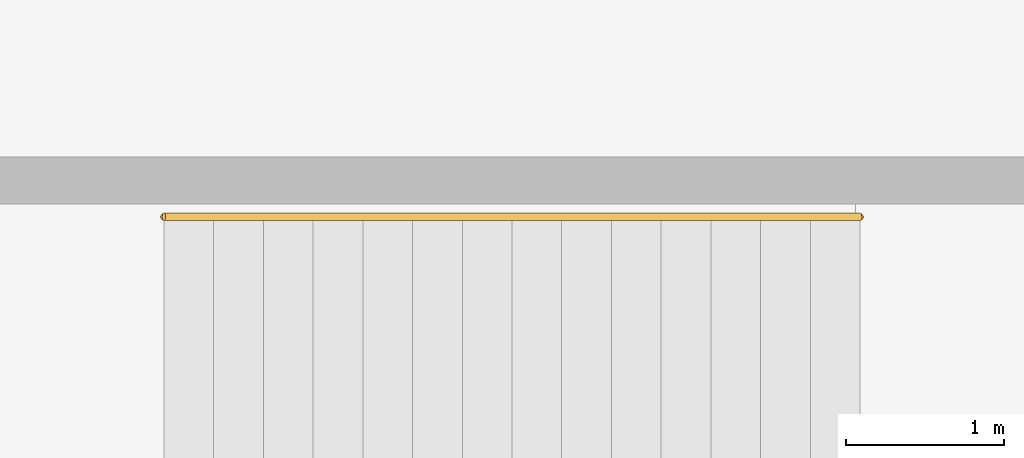
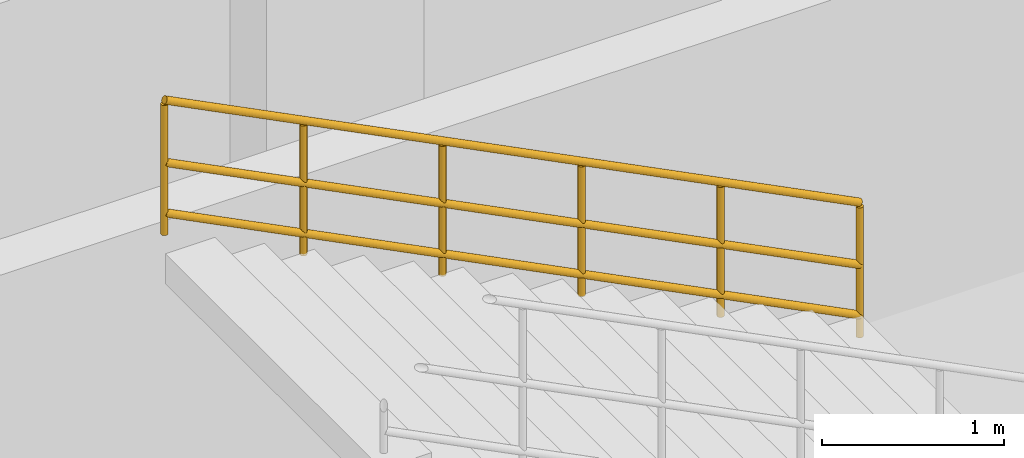
# One storey, part 51 of 52: 1 railing.
"""IFC4 building model written with IfcOpenShell, lengths in metres."""

from ifc_helpers import new_model, si_unit, direction, frame, origin, origin_2d, place, context, subcontext, project, spatial, circle, extrude, material, type_object, element, save


model = new_model("IFC4")

# Units and contexts
model_context = context("Model", 3, precision=1e-05, world=origin(), true_north=direction((0.0, 1.0)))
body_context = subcontext(model_context, "Body", "Model", "MODEL_VIEW")
ifc_project = project(units=[si_unit("LENGTHUNIT", "METRE"), si_unit("AREAUNIT", "SQUARE_METRE"), si_unit("VOLUMEUNIT", "CUBIC_METRE"), si_unit("PLANEANGLEUNIT", "RADIAN"), si_unit("MASSUNIT", "GRAM", prefix="KILO")], contexts=[model_context])

# Site, building, storey
site_placement = place(None, origin())
site = spatial("IfcSite", under=ifc_project, at=site_placement, CompositionType="ELEMENT")
building_placement = place(site_placement, origin())
building = spatial("IfcBuilding", under=site, at=building_placement, Name="Brelvane Convention Centre", CompositionType="ELEMENT")
storey_placement = place(building_placement, frame((0.0, 0.0, -4.5)))
storey = spatial("IfcBuildingStorey", under=building, at=storey_placement, Name="B1", CompositionType="ELEMENT", Elevation=-4.5)

# Railing
ifc_material = material(Name="Steel E350 (350 MPa)", Category="steel")
railing_type = type_object("IfcRailingType", Name="Stair Railing HR-ST-1", PredefinedType="HANDRAIL", material=ifc_material)
railing_placement = place(storey_placement, frame((98.760009765625, 140.969970703125, 2.25)))
element("IfcRailing", 1, at=railing_placement, inside=storey, type_object=railing_type, Name="Stair ST-12 B1 Outer Handrail F2", PredefinedType="HANDRAIL", context=body_context, shape_type="SweptSolid", body=[
    extrude(circle(Radius=0.02392578125, at=origin_2d()), frame((0.0, 0.0, 0.89599609375), z_axis=(-0.892392434286, 0.0, 0.451260172439), x_axis=(0.0, -1.0, 0.0)), (0.0, 0.0, 1.0), 4.941650390625),
    extrude(circle(Radius=0.02392578125, at=origin_2d()), frame((0.0, 0.0, 0.478271484375), z_axis=(-0.892392434286, 0.0, 0.451260172439), x_axis=(0.0, -1.0, 0.0)), (0.0, 0.0, 1.0), 4.941650390625),
    extrude(circle(Radius=0.02392578125, at=origin_2d()), frame((0.0, 0.0, 0.139892578125), z_axis=(-0.892392434286, 0.0, 0.451260172439), x_axis=(0.0, -1.0, 0.0)), (0.0, 0.0, 1.0), 4.941650390625),
    extrude(circle(Radius=0.02099609375, at=origin_2d()), origin(), (0.0, 0.0, 1.0), 0.871826171875),
    extrude(circle(Radius=0.02099609375, at=origin_2d()), frame((-0.882080078125, 0.0, 0.446044921875)), (0.0, 0.0, 1.0), 0.871826171875),
    extrude(circle(Radius=0.02099609375, at=origin_2d()), frame((-1.763916015625, 0.0, 0.89208984375)), (0.0, 0.0, 1.0), 0.871826171875),
    extrude(circle(Radius=0.02099609375, at=origin_2d()), frame((-2.64599609375, 0.0, 1.337890625)), (0.0, 0.0, 1.0), 0.871826171875),
    extrude(circle(Radius=0.02099609375, at=origin_2d()), frame((-3.52783203125, 0.0, 1.783935546875)), (0.0, 0.0, 1.0), 0.871826171875),
    extrude(circle(Radius=0.02099609375, at=origin_2d()), frame((-4.409912109375, 0.0, 2.22998046875)), (0.0, 0.0, 1.0), 0.871826171875),
])

save(model, "model.ifc")
